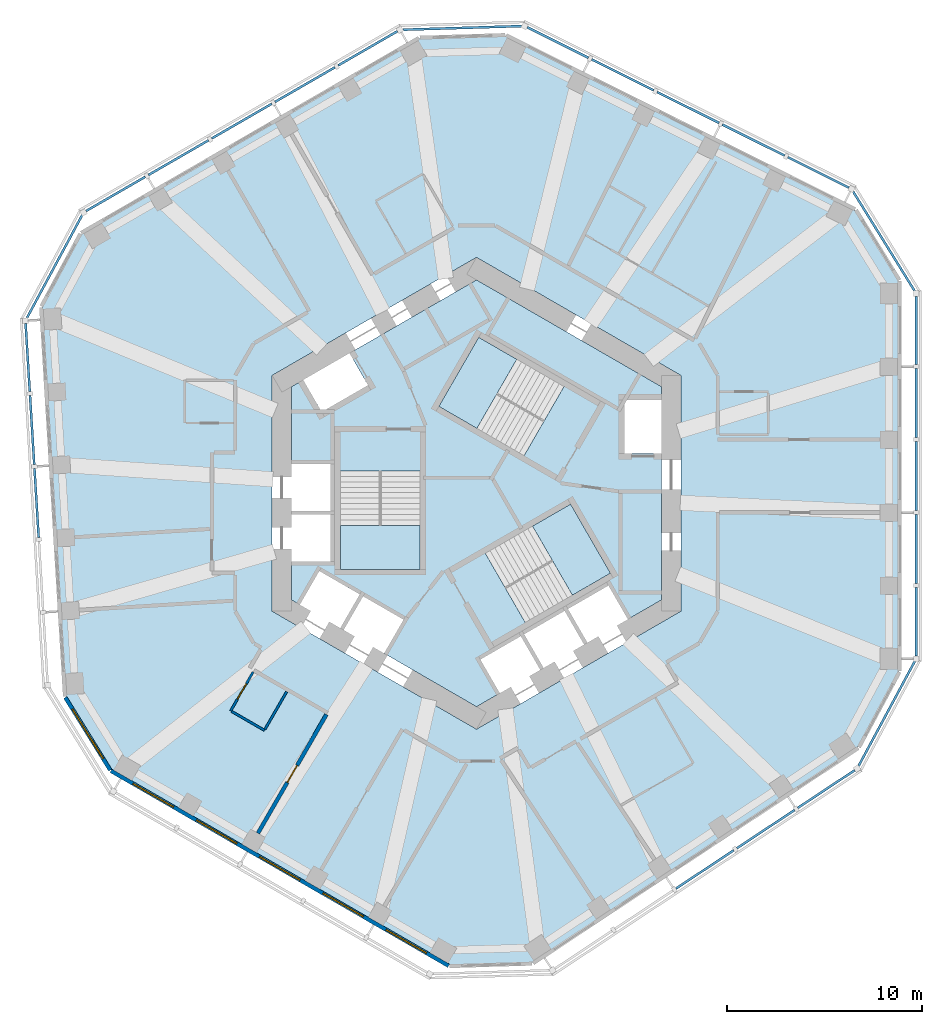
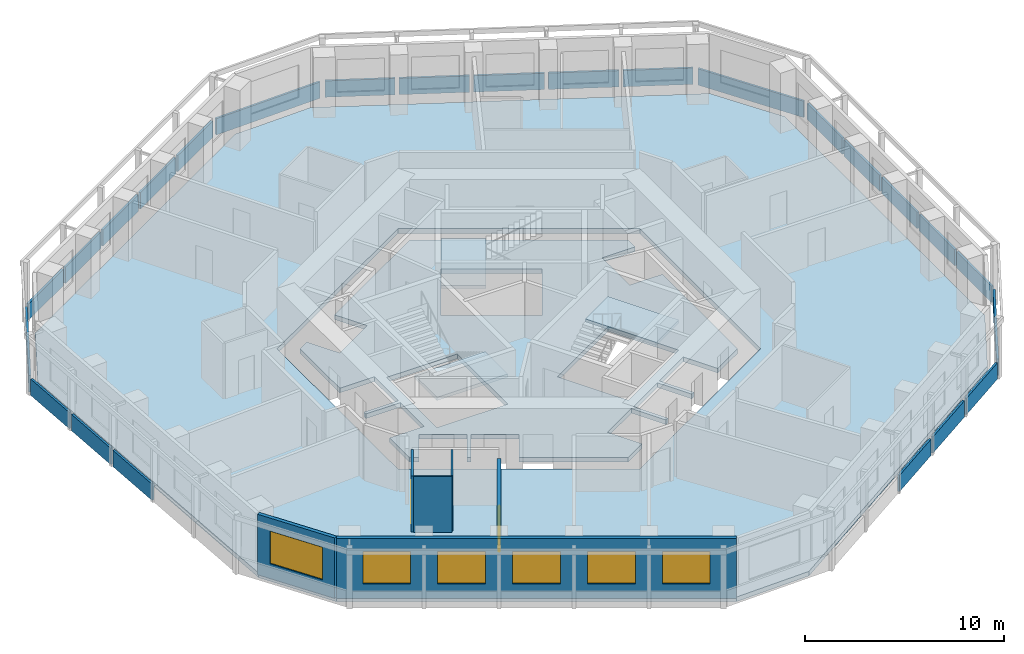
# One storey, part 3 of 11: 25 plates, 6 walls, 6 windows, 5 slabs, 2 doors, 8 openings, 12 elements without a shape of their own.
"""IFC4 building model written with IfcOpenShell, lengths in metres."""

from ifc_helpers import new_model, si_unit, direction, frame, frame_2d, origin, origin_2d, place, context, subcontext, project, spatial, polyline, rectangle, outline, extrude, material, layer, layer_set, type_object, element, fill, aggregate, save


model = new_model("IFC4")

# Units and contexts
model_context = context("Model", 3, precision=1e-05, world=origin(), true_north=direction((0.0, 1.0)))
body_context = subcontext(model_context, "Body", "Model", "MODEL_VIEW")
ifc_project = project(units=[si_unit("LENGTHUNIT", "METRE"), si_unit("AREAUNIT", "SQUARE_METRE"), si_unit("VOLUMEUNIT", "CUBIC_METRE"), si_unit("PLANEANGLEUNIT", "RADIAN"), si_unit("MASSUNIT", "GRAM", prefix="KILO")], contexts=[model_context])

# Site, building, storey
site_placement = place(None, origin())
site = spatial("IfcSite", under=ifc_project, at=site_placement, CompositionType="ELEMENT")
building_placement = place(site_placement, origin())
building = spatial("IfcBuilding", under=site, at=building_placement, Name="Vanh Sen Convention Tower", CompositionType="ELEMENT")
storey_placement = place(building_placement, frame((0.0, 0.0, 183.60009765625)))
storey = spatial("IfcBuildingStorey", under=building, at=storey_placement, Name="L45", CompositionType="ELEMENT", Elevation=183.60009765625)

# Slabs
ifc_material_1 = material(Name="Concrete C40/50", Category="concrete")
ifc_layer_1 = layer(ifc_material_1, 0.280029296875)
ifc_layer_set_1 = layer_set([ifc_layer_1], Name="Concrete C40/50")
slab_type_1 = type_object("IfcSlabType", Name="Core slab 280", PredefinedType="FLOOR", material=ifc_layer_set_1)
slab_1_placement = place(storey_placement, frame((0.0, 0.0, -0.280029296875)))
element("IfcSlab", 1, at=slab_1_placement, inside=storey, type_object=slab_type_1, Name="Core slab L45", PredefinedType="FLOOR", context=body_context, shape_type="SweptSolid", body=[
    extrude(outline(polyline([(0.0, 10.9697265625), (9.5, 5.48486328125), (9.5, 4.800048828125), (7.60009765625, 4.800048828125), (7.60009765625, 2.050048828125), (9.5, 2.050048828125), (9.5, -5.48486328125), (7.781005859375, -6.477294921875), (6.781005859375, -4.7451171875), (4.70263671875, -5.9453125), (5.70263671875, -7.67724609375), (5.529296875, -7.777099609375), (4.529296875, -6.045166015625), (2.450927734375, -7.2451171875), (3.450927734375, -8.977294921875), (3.27783203125, -9.0771484375), (2.27783203125, -7.34521484375), (0.19921875, -8.545166015625), (1.19921875, -10.277099609375), (0.0, -10.9697265625), (-4.75, -8.227294921875), (-3.75, -6.4951171875), (-5.82861328125, -5.295166015625), (-6.82861328125, -7.027099609375), (-7.001708984375, -6.92724609375), (-6.001708984375, -5.1953125), (-8.080078125, -3.9951171875), (-9.080078125, -5.727294921875), (-9.5, -5.48486328125), (-9.5, -3.5), (-7.5, -3.5), (-7.5, -1.10009765625), (-9.5, -1.10009765625), (-9.5, -0.89990234375), (-7.5, -0.89990234375), (-7.5, 1.5), (-9.5, 1.5), (-9.5, 5.48486328125), (-8.906982421875, 5.8271484375), (-7.956787109375, 4.181884765625), (-5.575439453125, 5.556884765625), (-6.525390625, 7.2021484375), (0.0, 10.9697265625)]), holes=[polyline([(-7.0, 1.1494140625), (-7.0, -3.909912109375), (-2.89990234375, -3.909912109375), (-2.89990234375, 1.1494140625), (-7.0, 1.1494140625)]), polyline([(2.504638671875, -6.63671875), (6.88623046875, -4.107177734375), (4.836181640625, -0.556396484375), (0.45458984375, -3.086181640625), (2.504638671875, -6.63671875)]), polyline([(0.11376953125, 8.01708984375), (-1.936279296875, 4.466552734375), (2.4453125, 1.936767578125), (4.495361328125, 5.487548828125), (0.11376953125, 8.01708984375)])]), origin(), (0.0, 0.0, 1.0), 0.280029296875),
])
ifc_layer_2 = layer(ifc_material_1, 0.280029296875)
ifc_layer_set_2 = layer_set([ifc_layer_2], Name="Concrete C40/50")
slab_type_2 = type_object("IfcSlabType", Name="Floor slab 280 REI 120", PredefinedType="FLOOR", material=ifc_layer_set_2)
slab_2_placement = place(storey_placement, frame((0.0, 0.0, -0.280029296875)))
element("IfcSlab", 2, at=slab_2_placement, inside=storey, type_object=slab_type_2, Name="Floor slab L45 tower", PredefinedType="FLOOR", context=body_context, shape_type="SweptSolid", body=[
    extrude(outline(polyline([(21.699951171875, -9.15087890625), (21.699951171875, 10.91943359375), (19.454833984375, 14.5478515625), (1.492919921875, 23.503173828125), (-2.925048828125, 23.368408203125), (-20.306640625, 13.3330078125), (-22.326171875, 9.574462890625), (-21.100830078125, -10.458740234375), (-18.77490234375, -14.21728515625), (-1.393310546875, -24.25244140625), (2.871337890625, -24.122314453125), (19.60791015625, -13.04443359375), (21.699951171875, -9.15087890625)]), holes=[polyline([(0.0, 12.12451171875), (-10.5, 6.062255859375), (-10.5, -6.062255859375), (0.0, -12.12451171875), (10.5, -6.062255859375), (10.5, 6.062255859375), (0.0, 12.12451171875)])]), origin(), (0.0, 0.0, 1.0), 0.280029296875),
])

# Curtain wall, plates
ifc_material_2 = material(Name="Concrete C50/60", Category="concrete")
curtain_wall_type = type_object("IfcCurtainWallType", Name="Outer skin office zone", PredefinedType="NOTDEFINED", material=ifc_material_2)
curtain_wall_1_placement = place(storey_placement, origin())
curtain_wall_1 = element("IfcCurtainWall", 3, at=curtain_wall_1_placement, inside=storey, type_object=curtain_wall_type, Name="OUTER SKIN E L45", PredefinedType="NOTDEFINED")
ifc_layer_3 = layer(ifc_material_2, 0.1201171875)
ifc_layer_set_3 = layer_set([ifc_layer_3], Name="Concrete C50/60")
plate_type = type_object("IfcPlateType", Name="Outer skin precast screen panel 120", PredefinedType="CURTAIN_PANEL", material=ifc_layer_set_3)
plate_1_placement = place(storey_placement, frame((22.60009765625, -6.59912109375, 0.0), z_axis=(0.0, 0.0, 1.0), x_axis=(0.0, 1.0, 0.0)))
plate_1 = element("IfcPlate", 4, at=plate_1_placement, type_object=plate_type, Name="OUTER SKIN screen panel E-1", PredefinedType="CURTAIN_PANEL", context=body_context, shape_type="SweptSolid", body=[
    extrude(rectangle(XDim=3.504150390625, YDim=0.1201171875, at=origin_2d()), origin(), (0.0, 0.0, 1.0), 1.0),
])
plate_2_placement = place(storey_placement, frame((22.60009765625, -2.869873046875, 0.0), z_axis=(0.0, 0.0, 1.0), x_axis=(0.0, 1.0, 0.0)))
plate_2 = element("IfcPlate", 5, at=plate_2_placement, type_object=plate_type, Name="OUTER SKIN screen panel E-2", PredefinedType="CURTAIN_PANEL", context=body_context, shape_type="SweptSolid", body=[
    extrude(rectangle(XDim=3.55419921875, YDim=0.1201171875, at=origin_2d()), origin(), (0.0, 0.0, 1.0), 1.0),
])
plate_3_placement = place(storey_placement, frame((22.60009765625, 0.88427734375, 0.0), z_axis=(0.0, 0.0, 1.0), x_axis=(0.0, 1.0, 0.0)))
plate_3 = element("IfcPlate", 6, at=plate_3_placement, type_object=plate_type, Name="OUTER SKIN screen panel E-3", PredefinedType="CURTAIN_PANEL", context=body_context, shape_type="SweptSolid", body=[
    extrude(rectangle(XDim=3.55419921875, YDim=0.1201171875, at=origin_2d()), origin(), (0.0, 0.0, 1.0), 1.0),
])
plate_4_placement = place(storey_placement, frame((22.60009765625, 4.63818359375, 0.0), z_axis=(0.0, 0.0, 1.0), x_axis=(0.0, 1.0, 0.0)))
plate_4 = element("IfcPlate", 7, at=plate_4_placement, type_object=plate_type, Name="OUTER SKIN screen panel E-4", PredefinedType="CURTAIN_PANEL", context=body_context, shape_type="SweptSolid", body=[
    extrude(rectangle(XDim=3.55419921875, YDim=0.1201171875, at=origin_2d()), origin(), (0.0, 0.0, 1.0), 1.0),
])
plate_5_placement = place(storey_placement, frame((22.60009765625, 8.367431640625, 0.0), z_axis=(0.0, 0.0, 1.0), x_axis=(0.0, 1.0, 0.0)))
plate_5 = element("IfcPlate", 8, at=plate_5_placement, type_object=plate_type, Name="OUTER SKIN screen panel E-5", PredefinedType="CURTAIN_PANEL", context=body_context, shape_type="SweptSolid", body=[
    extrude(rectangle(XDim=3.504150390625, YDim=0.1201171875, at=origin_2d()), origin(), (0.0, 0.0, 1.0), 1.0),
])
aggregate(curtain_wall_1, [plate_1, plate_2, plate_3, plate_4, plate_5])

# Curtain wall, plate
curtain_wall_2_placement = place(storey_placement, origin())
curtain_wall_2 = element("IfcCurtainWall", 9, at=curtain_wall_2_placement, inside=storey, type_object=curtain_wall_type, Name="OUTER SKIN CH1 L45", PredefinedType="NOTDEFINED")
plate_6_placement = place(storey_placement, frame((20.937255859375, 12.956298828125, 0.0), z_axis=(0.0, 0.0, 1.0), x_axis=(-0.5262035346, 0.850358653848, 0.0)))
plate_6 = element("IfcPlate", 10, at=plate_6_placement, type_object=plate_type, Name="OUTER SKIN screen panel CH1-1", PredefinedType="CURTAIN_PANEL", context=body_context, shape_type="SweptSolid", body=[
    extrude(rectangle(XDim=6.01953125, YDim=0.1201171875, at=origin_2d()), origin(), (0.0, 0.0, 1.0), 1.0),
])
aggregate(curtain_wall_2, [plate_6])

# Curtain wall, plates
curtain_wall_3_placement = place(storey_placement, origin())
curtain_wall_3 = element("IfcCurtainWall", 11, at=curtain_wall_3_placement, inside=storey, type_object=curtain_wall_type, Name="OUTER SKIN NE L45", PredefinedType="NOTDEFINED")
plate_7_placement = place(storey_placement, frame((17.572509765625, 16.491943359375, 0.0), z_axis=(0.0, 0.0, 1.0), x_axis=(-0.894943706551, 0.446179069551, 0.0)))
plate_7 = element("IfcPlate", 12, at=plate_7_placement, type_object=plate_type, Name="OUTER SKIN screen panel NE-1", PredefinedType="CURTAIN_PANEL", context=body_context, shape_type="SweptSolid", body=[
    extrude(rectangle(XDim=3.504150390625, YDim=0.1201171875, at=origin_2d()), origin(), (0.0, 0.0, 1.0), 1.0),
])
plate_8_placement = place(storey_placement, frame((14.235107421875, 18.156005859375, 0.0), z_axis=(0.0, 0.0, 1.0), x_axis=(-0.894932804072, 0.446200937017, 0.0)))
plate_8 = element("IfcPlate", 13, at=plate_8_placement, type_object=plate_type, Name="OUTER SKIN screen panel NE-2", PredefinedType="CURTAIN_PANEL", context=body_context, shape_type="SweptSolid", body=[
    extrude(rectangle(XDim=3.55419921875, YDim=0.1201171875, at=origin_2d()), origin(), (0.0, 0.0, 1.0), 1.0),
])
plate_9_placement = place(storey_placement, frame((10.87548828125, 19.8310546875, 0.0), z_axis=(0.0, 0.0, 1.0), x_axis=(-0.894932804072, 0.446200937017, 0.0)))
plate_9 = element("IfcPlate", 14, at=plate_9_placement, type_object=plate_type, Name="OUTER SKIN screen panel NE-3", PredefinedType="CURTAIN_PANEL", context=body_context, shape_type="SweptSolid", body=[
    extrude(rectangle(XDim=3.55419921875, YDim=0.1201171875, at=origin_2d()), origin(), (0.0, 0.0, 1.0), 1.0),
])
plate_10_placement = place(storey_placement, frame((7.515625, 21.506103515625, 0.0), z_axis=(0.0, 0.0, 1.0), x_axis=(-0.894932804072, 0.446200937017, 0.0)))
plate_10 = element("IfcPlate", 15, at=plate_10_placement, type_object=plate_type, Name="OUTER SKIN screen panel NE-4", PredefinedType="CURTAIN_PANEL", context=body_context, shape_type="SweptSolid", body=[
    extrude(rectangle(XDim=3.55419921875, YDim=0.1201171875, at=origin_2d()), origin(), (0.0, 0.0, 1.0), 1.0),
])
plate_11_placement = place(storey_placement, frame((4.178466796875, 23.169921875, 0.0), z_axis=(0.0, 0.0, 1.0), x_axis=(-0.894943706551, 0.446179069551, 0.0)))
plate_11 = element("IfcPlate", 16, at=plate_11_placement, type_object=plate_type, Name="OUTER SKIN screen panel NE-5", PredefinedType="CURTAIN_PANEL", context=body_context, shape_type="SweptSolid", body=[
    extrude(rectangle(XDim=3.504150390625, YDim=0.1201171875, at=origin_2d()), origin(), (0.0, 0.0, 1.0), 1.0),
])
aggregate(curtain_wall_3, [plate_7, plate_8, plate_9, plate_10, plate_11])

# Curtain wall, plate
curtain_wall_4_placement = place(storey_placement, origin())
curtain_wall_4 = element("IfcCurtainWall", 17, at=curtain_wall_4_placement, inside=storey, type_object=curtain_wall_type, Name="OUTER SKIN CH2 L45", PredefinedType="NOTDEFINED")
plate_12_placement = place(storey_placement, frame((-0.73095703125, 23.920654296875, 0.0), z_axis=(0.0, 0.0, 1.0), x_axis=(-0.999533590837, -0.03053851321, 0.0)))
plate_12 = element("IfcPlate", 18, at=plate_12_placement, type_object=plate_type, Name="OUTER SKIN screen panel CH2-1", PredefinedType="CURTAIN_PANEL", context=body_context, shape_type="SweptSolid", body=[
    extrude(rectangle(XDim=6.1171875, YDim=0.1201171875, at=origin_2d()), origin(), (0.0, 0.0, 1.0), 1.0),
])
aggregate(curtain_wall_4, [plate_12])

# Curtain wall, plates
curtain_wall_5_placement = place(storey_placement, origin())
curtain_wall_5 = element("IfcCurtainWall", 19, at=curtain_wall_5_placement, inside=storey, type_object=curtain_wall_type, Name="OUTER SKIN NW L45", PredefinedType="NOTDEFINED")
plate_13_placement = place(storey_placement, frame((-5.585205078125, 22.87158203125, 0.0), z_axis=(0.0, 0.0, 1.0), x_axis=(-0.866035002936, -0.499983373414, 0.0)))
plate_13 = element("IfcPlate", 20, at=plate_13_placement, type_object=plate_type, Name="OUTER SKIN screen panel NW-1", PredefinedType="CURTAIN_PANEL", context=body_context, shape_type="SweptSolid", body=[
    extrude(rectangle(XDim=3.504150390625, YDim=0.1201171875, at=origin_2d()), origin(), (0.0, 0.0, 1.0), 1.0),
])
plate_14_placement = place(storey_placement, frame((-8.814697265625, 21.007080078125, 0.0), z_axis=(0.0, 0.0, 1.0), x_axis=(-0.866016677006, -0.500015114919, 0.0)))
plate_14 = element("IfcPlate", 21, at=plate_14_placement, type_object=plate_type, Name="OUTER SKIN screen panel NW-2", PredefinedType="CURTAIN_PANEL", context=body_context, shape_type="SweptSolid", body=[
    extrude(rectangle(XDim=3.55419921875, YDim=0.1201171875, at=origin_2d()), origin(), (0.0, 0.0, 1.0), 1.0),
])
plate_15_placement = place(storey_placement, frame((-12.06591796875, 19.1298828125, 0.0), z_axis=(0.0, 0.0, 1.0), x_axis=(-0.866035002936, -0.499983373414, 0.0)))
plate_15 = element("IfcPlate", 22, at=plate_15_placement, type_object=plate_type, Name="OUTER SKIN screen panel NW-3", PredefinedType="CURTAIN_PANEL", context=body_context, shape_type="SweptSolid", body=[
    extrude(rectangle(XDim=3.55419921875, YDim=0.1201171875, at=origin_2d()), origin(), (0.0, 0.0, 1.0), 1.0),
])
plate_16_placement = place(storey_placement, frame((-15.31689453125, 17.2529296875, 0.0), z_axis=(0.0, 0.0, 1.0), x_axis=(-0.866016677006, -0.500015114919, 0.0)))
plate_16 = element("IfcPlate", 23, at=plate_16_placement, type_object=plate_type, Name="OUTER SKIN screen panel NW-4", PredefinedType="CURTAIN_PANEL", context=body_context, shape_type="SweptSolid", body=[
    extrude(rectangle(XDim=3.55419921875, YDim=0.1201171875, at=origin_2d()), origin(), (0.0, 0.0, 1.0), 1.0),
])
plate_17_placement = place(storey_placement, frame((-18.54638671875, 15.388427734375, 0.0), z_axis=(0.0, 0.0, 1.0), x_axis=(-0.866035002936, -0.499983373414, 0.0)))
plate_17 = element("IfcPlate", 24, at=plate_17_placement, type_object=plate_type, Name="OUTER SKIN screen panel NW-5", PredefinedType="CURTAIN_PANEL", context=body_context, shape_type="SweptSolid", body=[
    extrude(rectangle(XDim=3.504150390625, YDim=0.1201171875, at=origin_2d()), origin(), (0.0, 0.0, 1.0), 1.0),
])
aggregate(curtain_wall_5, [plate_13, plate_14, plate_15, plate_16, plate_17])

# Curtain wall, plate
curtain_wall_6_placement = place(storey_placement, origin())
curtain_wall_6 = element("IfcCurtainWall", 25, at=curtain_wall_6_placement, inside=storey, type_object=curtain_wall_type, Name="OUTER SKIN CH3 L45", PredefinedType="NOTDEFINED")
plate_18_placement = place(storey_placement, frame((-21.689208984375, 11.654052734375, 0.0), z_axis=(0.0, 0.0, 1.0), x_axis=(-0.47331812974, -0.880891564303, 0.0)))
plate_18 = element("IfcPlate", 26, at=plate_18_placement, type_object=plate_type, Name="OUTER SKIN screen panel CH3-1", PredefinedType="CURTAIN_PANEL", context=body_context, shape_type="SweptSolid", body=[
    extrude(rectangle(XDim=6.019287109375, YDim=0.1201171875, at=origin_2d()), origin(), (0.0, 0.0, 1.0), 1.0),
])
aggregate(curtain_wall_6, [plate_18])

# Curtain wall, plates
curtain_wall_7_placement = place(storey_placement, origin())
curtain_wall_7 = element("IfcCurtainWall", 27, at=curtain_wall_7_placement, inside=storey, type_object=curtain_wall_type, Name="OUTER SKIN W L45", PredefinedType="NOTDEFINED")
plate_19_placement = place(storey_placement, frame((-23.068603515625, 6.97216796875, 0.0), z_axis=(0.0, 0.0, 1.0), x_axis=(0.061053765756, -0.998134478759, 0.0)))
plate_19 = element("IfcPlate", 28, at=plate_19_placement, type_object=plate_type, Name="OUTER SKIN screen panel W-1", PredefinedType="CURTAIN_PANEL", context=body_context, shape_type="SweptSolid", body=[
    extrude(rectangle(XDim=3.504150390625, YDim=0.1201171875, at=origin_2d()), origin(), (0.0, 0.0, 1.0), 1.0),
])
plate_20_placement = place(storey_placement, frame((-22.841064453125, 3.25, 0.0), z_axis=(0.0, 0.0, 1.0), x_axis=(0.061052023682, -0.998134585316, 0.0)))
plate_20 = element("IfcPlate", 29, at=plate_20_placement, type_object=plate_type, Name="OUTER SKIN screen panel W-2", PredefinedType="CURTAIN_PANEL", context=body_context, shape_type="SweptSolid", body=[
    extrude(rectangle(XDim=3.55419921875, YDim=0.1201171875, at=origin_2d()), origin(), (0.0, 0.0, 1.0), 1.0),
])
plate_21_placement = place(storey_placement, frame((-22.61181640625, -0.4970703125, 0.0), z_axis=(0.0, 0.0, 1.0), x_axis=(0.061053765756, -0.998134478759, 0.0)))
plate_21 = element("IfcPlate", 30, at=plate_21_placement, type_object=plate_type, Name="OUTER SKIN screen panel W-3", PredefinedType="CURTAIN_PANEL", context=body_context, shape_type="SweptSolid", body=[
    extrude(rectangle(XDim=3.55419921875, YDim=0.1201171875, at=origin_2d()), origin(), (0.0, 0.0, 1.0), 1.0),
])
aggregate(curtain_wall_7, [plate_19, plate_20, plate_21])

curtain_wall_8_placement = place(storey_placement, origin())
curtain_wall_8 = element("IfcCurtainWall", 31, at=curtain_wall_8_placement, inside=storey, type_object=curtain_wall_type, Name="OUTER SKIN SE L45", PredefinedType="NOTDEFINED")
plate_22_placement = place(storey_placement, frame((11.736328125, -19.333984375, 0.0), z_axis=(0.0, 0.0, 1.0), x_axis=(0.833877152158, 0.551950083892, 0.0)))
plate_22 = element("IfcPlate", 32, at=plate_22_placement, type_object=plate_type, Name="OUTER SKIN screen panel SE-3", PredefinedType="CURTAIN_PANEL", context=body_context, shape_type="SweptSolid", body=[
    extrude(rectangle(XDim=3.55419921875, YDim=0.1201171875, at=origin_2d()), origin(), (0.0, 0.0, 1.0), 1.0),
])
plate_23_placement = place(storey_placement, frame((14.866943359375, -17.26171875, 0.0), z_axis=(0.0, 0.0, 1.0), x_axis=(0.833889675294, 0.551931163677, 0.0)))
plate_23 = element("IfcPlate", 33, at=plate_23_placement, type_object=plate_type, Name="OUTER SKIN screen panel SE-4", PredefinedType="CURTAIN_PANEL", context=body_context, shape_type="SweptSolid", body=[
    extrude(rectangle(XDim=3.55419921875, YDim=0.1201171875, at=origin_2d()), origin(), (0.0, 0.0, 1.0), 1.0),
])
plate_24_placement = place(storey_placement, frame((17.9765625, -15.20361328125, 0.0), z_axis=(0.0, 0.0, 1.0), x_axis=(0.833889675294, 0.551931163677, 0.0)))
plate_24 = element("IfcPlate", 34, at=plate_24_placement, type_object=plate_type, Name="OUTER SKIN screen panel SE-5", PredefinedType="CURTAIN_PANEL", context=body_context, shape_type="SweptSolid", body=[
    extrude(rectangle(XDim=3.504150390625, YDim=0.1201171875, at=origin_2d()), origin(), (0.0, 0.0, 1.0), 1.0),
])
aggregate(curtain_wall_8, [plate_22, plate_23, plate_24])

# Curtain wall, plate
curtain_wall_9_placement = place(storey_placement, origin())
curtain_wall_9 = element("IfcCurtainWall", 35, at=curtain_wall_9_placement, inside=storey, type_object=curtain_wall_type, Name="OUTER SKIN CH6 L45", PredefinedType="NOTDEFINED")
plate_25_placement = place(storey_placement, frame((21.081298828125, -11.327392578125, 0.0), z_axis=(0.0, 0.0, 1.0), x_axis=(0.473321204628, 0.880889912105, 0.0)))
plate_25 = element("IfcPlate", 36, at=plate_25_placement, type_object=plate_type, Name="OUTER SKIN screen panel CH6-1", PredefinedType="CURTAIN_PANEL", context=body_context, shape_type="SweptSolid", body=[
    extrude(rectangle(XDim=6.1171875, YDim=0.1201171875, at=origin_2d()), origin(), (0.0, 0.0, 1.0), 1.0),
])
aggregate(curtain_wall_9, [plate_25])

# Stair, slab
ifc_material_3 = material(Name="Concrete C50/60", Category="concrete")
stair_type_1 = type_object("IfcStairType", Name="Exit stair ST1 22 risers at 168.2", PredefinedType="HALF_TURN_STAIR", material=ifc_material_3)
stair_1_placement = place(storey_placement, origin())
stair_1 = element("IfcStair", 37, at=stair_1_placement, inside=storey, type_object=stair_type_1, Name="Exit stair ST1 L45", PredefinedType="HALF_TURN_STAIR")
ifc_layer_4 = layer(ifc_material_1, 0.199951171875)
ifc_layer_set_4 = layer_set([ifc_layer_4], Name="Concrete C40/50")
slab_type_3 = type_object("IfcSlabType", Name="Stair landing 200", PredefinedType="LANDING", material=ifc_layer_set_4)
slab_3_placement = place(storey_placement, frame((0.0, 0.0, 1.64990234375)))
slab_3 = element("IfcSlab", 38, at=slab_3_placement, type_object=slab_type_3, Name="ST1 landing 1", PredefinedType="LANDING", context=body_context, shape_type="SweptSolid", body=[
    extrude(outline(polyline([(2.07177734375, 6.88671875), (0.11376953125, 8.01708984375), (-1.936279296875, 4.466552734375), (0.021728515625, 3.336181640625), (2.07177734375, 6.88671875)])), origin(), (0.0, 0.0, 1.0), 0.199951171875),
])
aggregate(stair_1, [slab_3])

stair_type_2 = type_object("IfcStairType", Name="Exit stair ST2 22 risers at 168.2", PredefinedType="HALF_TURN_STAIR", material=ifc_material_3)
stair_2_placement = place(storey_placement, origin())
stair_2 = element("IfcStair", 39, at=stair_2_placement, inside=storey, type_object=stair_type_2, Name="Exit stair ST2 L45", PredefinedType="HALF_TURN_STAIR")
slab_4_placement = place(storey_placement, frame((0.0, 0.0, 1.64990234375)))
slab_4 = element("IfcSlab", 40, at=slab_4_placement, type_object=slab_type_3, Name="ST2 landing 1", PredefinedType="LANDING", context=body_context, shape_type="SweptSolid", body=[
    extrude(outline(polyline([(-7.0, -1.6494140625), (-7.0, -3.909912109375), (-2.89990234375, -3.909912109375), (-2.89990234375, -1.6494140625), (-7.0, -1.6494140625)])), origin(), (0.0, 0.0, 1.0), 0.199951171875),
])
aggregate(stair_2, [slab_4])

stair_type_3 = type_object("IfcStairType", Name="Exit stair ST3 22 risers at 168.2", PredefinedType="HALF_TURN_STAIR", material=ifc_material_3)
stair_3_placement = place(storey_placement, origin())
stair_3 = element("IfcStair", 41, at=stair_3_placement, inside=storey, type_object=stair_type_3, Name="Exit stair ST3 L45", PredefinedType="HALF_TURN_STAIR")
slab_5_placement = place(storey_placement, frame((0.0, 0.0, 1.64990234375)))
slab_5 = element("IfcSlab", 42, at=slab_5_placement, type_object=slab_type_3, Name="ST3 landing 1", PredefinedType="LANDING", context=body_context, shape_type="SweptSolid", body=[
    extrude(outline(polyline([(4.92822265625, -5.237548828125), (6.88623046875, -4.107177734375), (4.836181640625, -0.556396484375), (2.87841796875, -1.686767578125), (4.92822265625, -5.237548828125)])), origin(), (0.0, 0.0, 1.0), 0.199951171875),
])
aggregate(stair_3, [slab_5])

# Wall, opening, door
ifc_material_4 = material(Name="Moisture-resistant gypsum board on steel studs", Category="steel")
ifc_layer_5 = layer(ifc_material_4, 0.1201171875)
ifc_layer_set_5 = layer_set([ifc_layer_5], Name="Moisture-resistant gypsum board on steel studs")
wall_type_1 = type_object("IfcWallType", Name="Bathroom partition 120", PredefinedType="PARTITIONING", material=ifc_layer_set_5)
wall_1_placement = place(storey_placement, frame((-12.634521484375, -11.181884765625, 0.0), z_axis=(0.0, 0.0, 1.0), x_axis=(0.499952165731, 0.866053019151, 0.0)))
wall_1 = element("IfcWall", 43, at=wall_1_placement, inside=storey, type_object=wall_type_1, Name="Bathroom partition 120", PredefinedType="PARTITIONING", context=body_context, shape_type="SweptSolid", body=[
    extrude(rectangle(XDim=2.300048828125, YDim=0.1201171875, at=frame_2d((1.14990234375, 0.0))), origin(), (0.0, 0.0, 1.0), 3.419921875),
])
opening_1_placement = place(wall_1_placement, frame((0.699951171875, 0.0, 0.0)))
opening_1 = element("IfcOpeningElement", 44, at=opening_1_placement, cuts=wall_1, Name="Opening D44113", PredefinedType="OPENING", context=body_context, shape_type="SweptSolid", body=[
    extrude(rectangle(XDim=0.89990234375, YDim=2.10009765625, at=frame_2d((0.449951171875, 1.050048828125))), frame((0.0, 0.070068359375, 0.0), z_axis=(0.0, -1.0, 0.0), x_axis=(1.0, 0.0, 0.0)), (0.0, 0.0, 1.0), 0.14013671875),
])
ifc_material_5 = material(Name="Laminate door in steel frame", Category="steel")
door_type_1 = type_object("IfcDoorType", Name="Room internal door 900", OperationType="SINGLE_SWING_LEFT", PredefinedType="DOOR", material=ifc_material_5)
door_1_placement = place(opening_1_placement, origin())
door_1 = element("IfcDoor", 45, at=door_1_placement, inside=storey, type_object=door_type_1, Name="Internal room door D44113", OperationType="SINGLE_SWING_LEFT", OverallHeight=2.10009765625, OverallWidth=0.89990234375, PredefinedType="DOOR", context=body_context, shape_type="SweptSolid", body=[
    extrude(rectangle(XDim=0.89990234375, YDim=2.10009765625, at=frame_2d((0.449951171875, 1.050048828125))), frame((0.0, 0.02490234375, 0.0), z_axis=(0.0, -1.0, 0.0), x_axis=(1.0, 0.0, 0.0)), (0.0, 0.0, 1.0), 0.050048828125),
])
fill(opening_1, door_1)

# Walls
wall_2_placement = place(storey_placement, frame((-10.902587890625, -12.181884765625, 0.0), z_axis=(0.0, 0.0, 1.0), x_axis=(-0.866011626733, 0.500023861795, 0.0)))
element("IfcWall", 46, at=wall_2_placement, inside=storey, type_object=wall_type_1, Name="Bathroom partition 120", PredefinedType="PARTITIONING", context=body_context, shape_type="SweptSolid", body=[
    extrude(rectangle(XDim=1.93994140625, YDim=0.1201171875, at=frame_2d((0.969970703125, 0.0))), origin(), (0.0, 0.0, 1.0), 3.419921875),
])
wall_3_placement = place(storey_placement, frame((-9.752685546875, -10.18994140625, 0.0), z_axis=(0.0, 0.0, 1.0), x_axis=(-0.49994888933, -0.866054910533, 0.0)))
element("IfcWall", 47, at=wall_3_placement, inside=storey, type_object=wall_type_1, Name="Bathroom partition 120", PredefinedType="PARTITIONING", context=body_context, shape_type="SweptSolid", body=[
    extrude(rectangle(XDim=2.239990234375, YDim=0.1201171875, at=frame_2d((1.1201171875, 0.0))), origin(), (0.0, 0.0, 1.0), 3.419921875),
])

# Wall, opening, door
ifc_material_6 = material(Name="Gypsum board on steel studs with mineral wool", Category="steel")
ifc_layer_6 = layer(ifc_material_6, 0.199951171875)
ifc_layer_set_6 = layer_set([ifc_layer_6], Name="Gypsum board on steel studs with mineral wool")
wall_type_2 = type_object("IfcWallType", Name="Corridor partition wall 200", PredefinedType="PARTITIONING", material=ifc_layer_set_6)
wall_4_placement = place(storey_placement, frame((-11.23486328125, -17.4736328125, 0.0), z_axis=(0.0, 0.0, 1.0), x_axis=(0.500009260695, 0.866020057054, 0.0)))
wall_4 = element("IfcWall", 48, at=wall_4_placement, inside=storey, type_object=wall_type_2, Name="Corridor partition wall 200", PredefinedType="PARTITIONING", context=body_context, shape_type="SweptSolid", body=[
    extrude(rectangle(XDim=7.049072265625, YDim=0.199951171875, at=frame_2d((3.5244140625, 0.0))), origin(), (0.0, 0.0, 1.0), 2.869873046875),
])
opening_2_placement = place(wall_4_placement, frame((3.0244140625, 0.0, 0.0)))
opening_2 = element("IfcOpeningElement", 49, at=opening_2_placement, cuts=wall_4, Name="Opening D44112", PredefinedType="OPENING", context=body_context, shape_type="SweptSolid", body=[
    extrude(rectangle(XDim=1.0, YDim=2.10009765625, at=frame_2d((0.5, 1.050048828125))), frame((0.0, 0.10986328125, 0.0), z_axis=(0.0, -1.0, 0.0), x_axis=(1.0, 0.0, 0.0)), (0.0, 0.0, 1.0), 0.219970703125),
])
ifc_material_7 = material(Name="Glazed fire door in steel frame", Category="steel")
door_type_2 = type_object("IfcDoorType", Name="Tenant entrance door 1000", OperationType="SINGLE_SWING_LEFT", PredefinedType="DOOR", material=ifc_material_7)
door_2_placement = place(opening_2_placement, origin())
door_2 = element("IfcDoor", 50, at=door_2_placement, inside=storey, type_object=door_type_2, Name="Tenant suite entrance door D44112", OperationType="SINGLE_SWING_LEFT", OverallHeight=2.10009765625, OverallWidth=1.0, PredefinedType="DOOR", context=body_context, shape_type="SweptSolid", body=[
    extrude(rectangle(XDim=1.0, YDim=2.10009765625, at=frame_2d((0.5, 1.050048828125))), frame((0.0, 0.02490234375, 0.0), z_axis=(0.0, -1.0, 0.0), x_axis=(1.0, 0.0, 0.0)), (0.0, 0.0, 1.0), 0.050048828125),
])
fill(opening_2, door_2)

# Wall, opening, window
ifc_material_8 = material(Name="Insulated lightweight infill wall")
ifc_layer_7 = layer(ifc_material_8, 0.199951171875)
ifc_layer_set_7 = layer_set([ifc_layer_7], Name="Insulated lightweight infill wall")
wall_type_3 = type_object("IfcWallType", Name="External wall 200", PredefinedType="STANDARD", material=ifc_layer_set_7)
wall_5_placement = place(storey_placement, frame((-21.13671875, -10.49560546875, 0.0), z_axis=(0.0, 0.0, 1.0), x_axis=(0.526178661629, -0.850374044786, 0.0)))
wall_5 = element("IfcWall", 51, at=wall_5_placement, inside=storey, type_object=wall_type_3, Name="External wall CH4 L45", PredefinedType="STANDARD", context=body_context, shape_type="SweptSolid", body=[
    extrude(rectangle(XDim=4.394775390625, YDim=0.199951171875, at=frame_2d((2.197265625, 0.0))), origin(), (0.0, 0.0, 1.0), 3.699951171875),
])
opening_3_placement = place(wall_5_placement, frame((0.697509765625, 0.0, 0.89990234375)))
opening_3 = element("IfcOpeningElement", 52, at=opening_3_placement, cuts=wall_5, Name="Opening WO2-CH41", PredefinedType="OPENING", context=body_context, shape_type="SweptSolid", body=[
    extrude(rectangle(XDim=3.0, YDim=2.0, at=frame_2d((1.5, 1.0))), frame((0.0, 0.10986328125, 0.0), z_axis=(0.0, -1.0, 0.0), x_axis=(1.0, 0.0, 0.0)), (0.0, 0.0, 1.0), 0.219970703125),
])
ifc_material_9 = material(Name="Aluminium frame with clear low-emissivity glass", Category="aluminium")
window_type_1 = type_object("IfcWindowType", Name="Office window 3000 x 2000", PartitioningType="SINGLE_PANEL", PredefinedType="WINDOW", material=ifc_material_9)
window_1_placement = place(opening_3_placement, origin())
window_1 = element("IfcWindow", 53, at=window_1_placement, inside=storey, type_object=window_type_1, Name="Window WO2-CH41", OverallHeight=2.0, OverallWidth=3.0, PartitioningType="SINGLE_PANEL", PredefinedType="WINDOW", context=body_context, shape_type="SweptSolid", body=[
    extrude(rectangle(XDim=3.0, YDim=2.0, at=frame_2d((1.5, 1.0))), frame((0.0, 0.030029296875, 0.0), z_axis=(0.0, -1.0, 0.0), x_axis=(1.0, 0.0, 0.0)), (0.0, 0.0, 1.0), 0.06005859375),
])
fill(opening_3, window_1)

# Wall, openings, windows
wall_6_placement = place(storey_placement, frame((-18.7890625, -14.266845703125, 0.0), z_axis=(0.0, 0.0, 1.0), x_axis=(0.866023315909, -0.500003616288, 0.0)))
wall_6 = element("IfcWall", 54, at=wall_6_placement, inside=storey, type_object=wall_type_3, Name="External wall SW L45", PredefinedType="STANDARD", context=body_context, shape_type="SweptSolid", body=[
    extrude(rectangle(XDim=20.043701171875, YDim=0.199951171875, at=frame_2d((10.02197265625, 0.0))), origin(), (0.0, 0.0, 1.0), 3.699951171875),
])
opening_4_placement = place(wall_6_placement, frame((1.314453125, 0.0, 0.89990234375)))
opening_4 = element("IfcOpeningElement", 55, at=opening_4_placement, cuts=wall_6, Name="Opening WO1-SW1", PredefinedType="OPENING", context=body_context, shape_type="SweptSolid", body=[
    extrude(rectangle(XDim=2.39990234375, YDim=2.0, at=frame_2d((1.199951171875, 1.0))), frame((0.0, 0.10986328125, 0.0), z_axis=(0.0, -1.0, 0.0), x_axis=(1.0, 0.0, 0.0)), (0.0, 0.0, 1.0), 0.219970703125),
])
opening_5_placement = place(wall_6_placement, frame((5.068603515625, 0.0, 0.89990234375)))
opening_5 = element("IfcOpeningElement", 56, at=opening_5_placement, cuts=wall_6, Name="Opening WO1-SW2", PredefinedType="OPENING", context=body_context, shape_type="SweptSolid", body=[
    extrude(rectangle(XDim=2.39990234375, YDim=2.0, at=frame_2d((1.199951171875, 1.0))), frame((0.0, 0.10986328125, 0.0), z_axis=(0.0, -1.0, 0.0), x_axis=(1.0, 0.0, 0.0)), (0.0, 0.0, 1.0), 0.219970703125),
])
opening_6_placement = place(wall_6_placement, frame((8.82275390625, 0.0, 0.89990234375)))
opening_6 = element("IfcOpeningElement", 57, at=opening_6_placement, cuts=wall_6, Name="Opening WO1-SW3", PredefinedType="OPENING", context=body_context, shape_type="SweptSolid", body=[
    extrude(rectangle(XDim=2.39990234375, YDim=2.0, at=frame_2d((1.199951171875, 1.0))), frame((0.0, 0.10986328125, 0.0), z_axis=(0.0, -1.0, 0.0), x_axis=(1.0, 0.0, 0.0)), (0.0, 0.0, 1.0), 0.219970703125),
])
opening_7_placement = place(wall_6_placement, frame((12.576904296875, 0.0, 0.89990234375)))
opening_7 = element("IfcOpeningElement", 58, at=opening_7_placement, cuts=wall_6, Name="Opening WO1-SW4", PredefinedType="OPENING", context=body_context, shape_type="SweptSolid", body=[
    extrude(rectangle(XDim=2.39990234375, YDim=2.0, at=frame_2d((1.199951171875, 1.0))), frame((0.0, 0.10986328125, 0.0), z_axis=(0.0, -1.0, 0.0), x_axis=(1.0, 0.0, 0.0)), (0.0, 0.0, 1.0), 0.219970703125),
])
opening_8_placement = place(wall_6_placement, frame((16.330810546875, 0.0, 0.89990234375)))
opening_8 = element("IfcOpeningElement", 59, at=opening_8_placement, cuts=wall_6, Name="Opening WO1-SW5", PredefinedType="OPENING", context=body_context, shape_type="SweptSolid", body=[
    extrude(rectangle(XDim=2.39990234375, YDim=2.0, at=frame_2d((1.199951171875, 1.0))), frame((0.0, 0.10986328125, 0.0), z_axis=(0.0, -1.0, 0.0), x_axis=(1.0, 0.0, 0.0)), (0.0, 0.0, 1.0), 0.219970703125),
])
window_type_2 = type_object("IfcWindowType", Name="Office window 2400 x 2000", PartitioningType="SINGLE_PANEL", PredefinedType="WINDOW", material=ifc_material_9)
window_2_placement = place(opening_4_placement, origin())
window_2 = element("IfcWindow", 60, at=window_2_placement, inside=storey, type_object=window_type_2, Name="Window WO1-SW1", OverallHeight=2.0, OverallWidth=2.39990234375, PartitioningType="SINGLE_PANEL", PredefinedType="WINDOW", context=body_context, shape_type="SweptSolid", body=[
    extrude(rectangle(XDim=2.39990234375, YDim=2.0, at=frame_2d((1.199951171875, 1.0))), frame((0.0, 0.030029296875, 0.0), z_axis=(0.0, -1.0, 0.0), x_axis=(1.0, 0.0, 0.0)), (0.0, 0.0, 1.0), 0.06005859375),
])
fill(opening_4, window_2)
window_3_placement = place(opening_5_placement, origin())
window_3 = element("IfcWindow", 61, at=window_3_placement, inside=storey, type_object=window_type_2, Name="Window WO1-SW2", OverallHeight=2.0, OverallWidth=2.39990234375, PartitioningType="SINGLE_PANEL", PredefinedType="WINDOW", context=body_context, shape_type="SweptSolid", body=[
    extrude(rectangle(XDim=2.39990234375, YDim=2.0, at=frame_2d((1.199951171875, 1.0))), frame((0.0, 0.030029296875, 0.0), z_axis=(0.0, -1.0, 0.0), x_axis=(1.0, 0.0, 0.0)), (0.0, 0.0, 1.0), 0.06005859375),
])
fill(opening_5, window_3)
window_4_placement = place(opening_6_placement, origin())
window_4 = element("IfcWindow", 62, at=window_4_placement, inside=storey, type_object=window_type_2, Name="Window WO1-SW3", OverallHeight=2.0, OverallWidth=2.39990234375, PartitioningType="SINGLE_PANEL", PredefinedType="WINDOW", context=body_context, shape_type="SweptSolid", body=[
    extrude(rectangle(XDim=2.39990234375, YDim=2.0, at=frame_2d((1.199951171875, 1.0))), frame((0.0, 0.030029296875, 0.0), z_axis=(0.0, -1.0, 0.0), x_axis=(1.0, 0.0, 0.0)), (0.0, 0.0, 1.0), 0.06005859375),
])
fill(opening_6, window_4)
window_5_placement = place(opening_7_placement, origin())
window_5 = element("IfcWindow", 63, at=window_5_placement, inside=storey, type_object=window_type_2, Name="Window WO1-SW4", OverallHeight=2.0, OverallWidth=2.39990234375, PartitioningType="SINGLE_PANEL", PredefinedType="WINDOW", context=body_context, shape_type="SweptSolid", body=[
    extrude(rectangle(XDim=2.39990234375, YDim=2.0, at=frame_2d((1.199951171875, 1.0))), frame((0.0, 0.030029296875, 0.0), z_axis=(0.0, -1.0, 0.0), x_axis=(1.0, 0.0, 0.0)), (0.0, 0.0, 1.0), 0.06005859375),
])
fill(opening_7, window_5)
window_6_placement = place(opening_8_placement, origin())
window_6 = element("IfcWindow", 64, at=window_6_placement, inside=storey, type_object=window_type_2, Name="Window WO1-SW5", OverallHeight=2.0, OverallWidth=2.39990234375, PartitioningType="SINGLE_PANEL", PredefinedType="WINDOW", context=body_context, shape_type="SweptSolid", body=[
    extrude(rectangle(XDim=2.39990234375, YDim=2.0, at=frame_2d((1.199951171875, 1.0))), frame((0.0, 0.030029296875, 0.0), z_axis=(0.0, -1.0, 0.0), x_axis=(1.0, 0.0, 0.0)), (0.0, 0.0, 1.0), 0.06005859375),
])
fill(opening_8, window_6)

save(model, "model.ifc")
